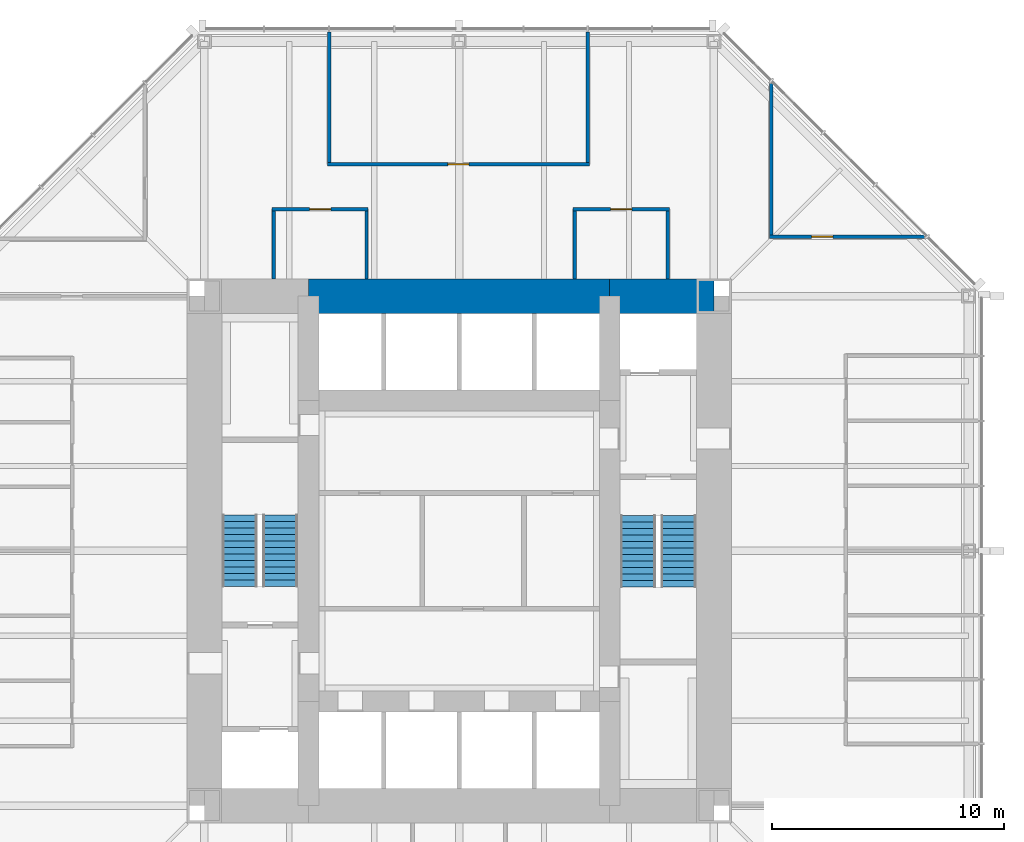
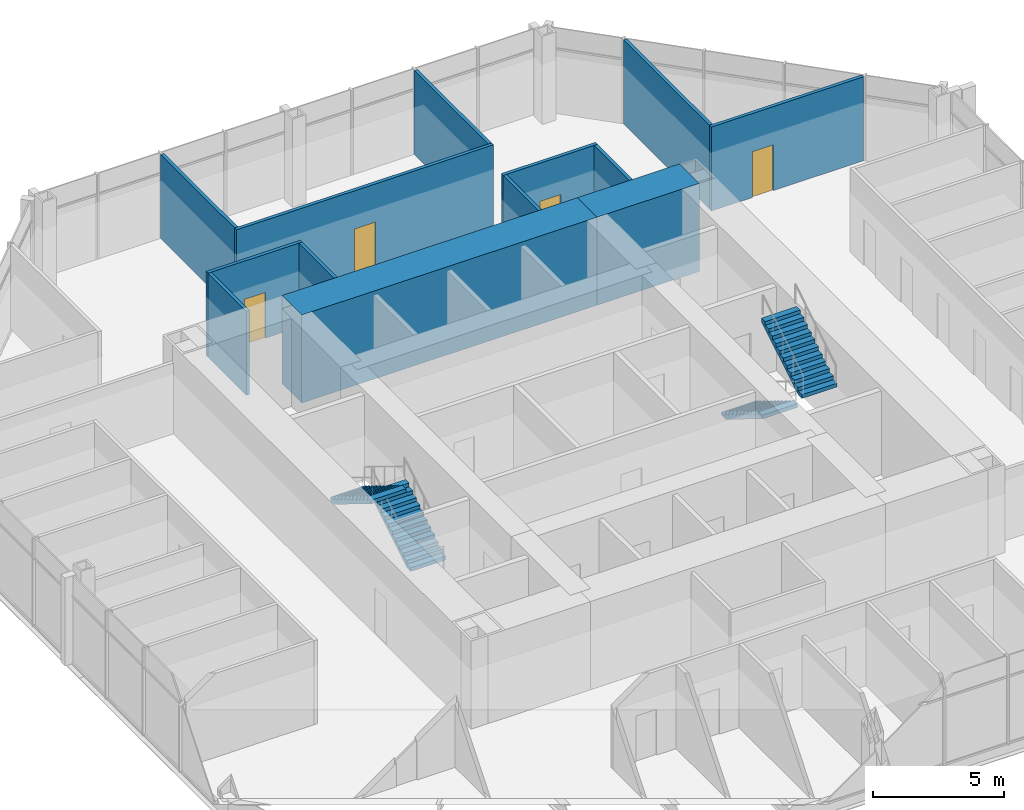
# One storey, part 11 of 12: 13 walls, 4 doors, 4 stair flights, 4 openings, 2 elements without a shape of their own.
"""IFC4 building model written with IfcOpenShell, lengths in metres."""

from ifc_helpers import new_model, si_unit, direction, frame, frame_2d, origin, place, context, subcontext, project, spatial, polyline, rectangle, outline, extrude, material, layer, layer_set, type_object, element, fill, aggregate, save


model = new_model("IFC4")

# Units and contexts
model_context = context("Model", 3, precision=1e-05, world=origin(), true_north=direction((0.0, 1.0)))
body_context = subcontext(model_context, "Body", "Model", "MODEL_VIEW")
ifc_project = project(units=[si_unit("LENGTHUNIT", "METRE"), si_unit("AREAUNIT", "SQUARE_METRE"), si_unit("VOLUMEUNIT", "CUBIC_METRE"), si_unit("PLANEANGLEUNIT", "RADIAN"), si_unit("MASSUNIT", "GRAM", prefix="KILO")], contexts=[model_context])

# Site, building, storey
site_placement = place(None, origin())
site = spatial("IfcSite", under=ifc_project, at=site_placement, CompositionType="ELEMENT")
building_placement = place(site_placement, origin())
building = spatial("IfcBuilding", under=site, at=building_placement, Name="Trevanion Tower", CompositionType="ELEMENT")
storey_placement = place(building_placement, frame((0.0, 0.0, 174.60009765625)))
storey = spatial("IfcBuildingStorey", under=building, at=storey_placement, Name="L41", CompositionType="ELEMENT", Elevation=174.60009765625)

# Walls
ifc_material_1 = material(Name="Concrete 10,000 psi", Category="concrete")
ifc_layer_1 = layer(ifc_material_1, 1.5)
ifc_layer_set_1 = layer_set([ifc_layer_1], Name="CW1 core wall 1500")
wall_type_1 = type_object("IfcWallType", Name="CW1 core wall 1500", PredefinedType="SHEAR", material=ifc_layer_set_1)
wall_1_placement = place(storey_placement, frame((11.0, 11.0, 0.0), z_axis=(0.0, 0.0, 1.0), x_axis=(-1.0, 0.0, 0.0)))
element("IfcWall", 1, at=wall_1_placement, inside=storey, type_object=wall_type_1, Name="CW1 CN1 L41", PredefinedType="SHEAR", context=body_context, shape_type="SweptSolid", body=[
    extrude(rectangle(XDim=4.5, YDim=1.5, at=frame_2d((2.25, 0.0))), origin(), (0.0, 0.0, 1.0), 4.099853515625),
])
wall_2_placement = place(storey_placement, frame((6.5, 11.0, 0.0), z_axis=(0.0, 0.0, 1.0), x_axis=(-1.0, 0.0, 0.0)))
element("IfcWall", 2, at=wall_2_placement, inside=storey, type_object=wall_type_1, Name="CW1 CN2 L41", PredefinedType="SHEAR", context=body_context, shape_type="SweptSolid", body=[
    extrude(rectangle(XDim=13.0, YDim=1.5, at=frame_2d((6.5, 0.0))), origin(), (0.0, 0.0, 1.0), 4.099853515625),
])

# Wall, opening, door
ifc_material_2 = material(Name="Gypsum board on steel studs", Category="steel")
ifc_layer_2 = layer(ifc_material_2, 0.14990234375)
ifc_layer_set_2 = layer_set([ifc_layer_2], Name="PT1 partition 150")
wall_type_2 = type_object("IfcWallType", Name="PT1 partition 150", PredefinedType="PARTITIONING", material=ifc_layer_set_2)
wall_3_placement = place(storey_placement, frame((13.39892578125, 13.56591796875, 0.0), z_axis=(0.0, 0.0, 1.0), x_axis=(1.0, 0.0, 0.0)))
wall_3 = element("IfcWall", 3, at=wall_3_placement, inside=storey, type_object=wall_type_2, Name="PT1 L41 KW0a", PredefinedType="PARTITIONING", context=body_context, shape_type="SweptSolid", body=[
    extrude(rectangle(XDim=6.697998046875, YDim=0.14990234375, at=frame_2d((3.34912109375, 0.0))), origin(), (0.0, 0.0, 1.0), 3.909912109375),
])
opening_1_placement = place(wall_3_placement, frame((1.8173828125, 0.0, 0.0)))
opening_1 = element("IfcOpeningElement", 4, at=opening_1_placement, cuts=wall_3, Name="Opening 41-020", PredefinedType="OPENING", context=body_context, shape_type="SweptSolid", body=[
    extrude(rectangle(XDim=0.9150390625, YDim=2.134033203125, at=frame_2d((0.45751953125, 1.06689453125))), frame((0.0, 0.0849609375, 0.0), z_axis=(0.0, -1.0, 0.0), x_axis=(1.0, 0.0, 0.0)), (0.0, 0.0, 1.0), 0.169921875),
])
ifc_material_3 = material(Name="Timber veneer, solid core", Category="wood")
door_type = type_object("IfcDoorType", Name="D1 office and meeting room door", OperationType="SINGLE_SWING_LEFT", PredefinedType="DOOR", material=ifc_material_3)
door_1_placement = place(opening_1_placement, origin())
door_1 = element("IfcDoor", 5, at=door_1_placement, inside=storey, type_object=door_type, Name="Door 41-020", OperationType="SINGLE_SWING_LEFT", OverallHeight=2.134033203125, OverallWidth=0.9150390625, PredefinedType="DOOR", context=body_context, shape_type="SweptSolid", body=[
    extrude(rectangle(XDim=0.9150390625, YDim=2.134033203125, at=frame_2d((0.45751953125, 1.06689453125))), frame((0.0, 0.02490234375, 0.0), z_axis=(0.0, -1.0, 0.0), x_axis=(1.0, 0.0, 0.0)), (0.0, 0.0, 1.0), 0.050048828125),
])
fill(opening_1, door_1)

# Wall
wall_4_placement = place(storey_placement, frame((13.47412109375, 13.64111328125, 0.0), z_axis=(0.0, 0.0, 1.0), x_axis=(0.0, 1.0, 0.0)))
element("IfcWall", 6, at=wall_4_placement, inside=storey, type_object=wall_type_2, Name="PT1 L41 KW0b", PredefinedType="PARTITIONING", context=body_context, shape_type="SweptSolid", body=[
    extrude(rectangle(XDim=6.5478515625, YDim=0.14990234375, at=frame_2d((3.27392578125, 0.0))), origin(), (0.0, 0.0, 1.0), 3.909912109375),
])

# Wall, opening, door
wall_5_placement = place(storey_placement, frame((5.6240234375, 16.699951171875, 0.0), z_axis=(0.0, 0.0, 1.0), x_axis=(-1.0, 0.0, 0.0)))
wall_5 = element("IfcWall", 7, at=wall_5_placement, inside=storey, type_object=wall_type_2, Name="PT1 L41 FC1F", PredefinedType="PARTITIONING", context=body_context, shape_type="SweptSolid", body=[
    extrude(rectangle(XDim=11.31298828125, YDim=0.14990234375, at=frame_2d((5.656494140625, 0.0))), origin(), (0.0, 0.0, 1.0), 3.909912109375),
])
opening_2_placement = place(wall_5_placement, frame((5.198974609375, 0.0, 0.0)))
opening_2 = element("IfcOpeningElement", 8, at=opening_2_placement, cuts=wall_5, Name="Opening 41-030", PredefinedType="OPENING", context=body_context, shape_type="SweptSolid", body=[
    extrude(rectangle(XDim=0.9150390625, YDim=2.134033203125, at=frame_2d((0.45751953125, 1.06689453125))), frame((0.0, 0.0849609375, 0.0), z_axis=(0.0, -1.0, 0.0), x_axis=(1.0, 0.0, 0.0)), (0.0, 0.0, 1.0), 0.169921875),
])
door_2_placement = place(opening_2_placement, origin())
door_2 = element("IfcDoor", 9, at=door_2_placement, inside=storey, type_object=door_type, Name="Door 41-030", OperationType="SINGLE_SWING_LEFT", OverallHeight=2.134033203125, OverallWidth=0.9150390625, PredefinedType="DOOR", context=body_context, shape_type="SweptSolid", body=[
    extrude(rectangle(XDim=0.9150390625, YDim=2.134033203125, at=frame_2d((0.45751953125, 1.06689453125))), frame((0.0, 0.02490234375, 0.0), z_axis=(0.0, -1.0, 0.0), x_axis=(1.0, 0.0, 0.0)), (0.0, 0.0, 1.0), 0.050048828125),
])
fill(opening_2, door_2)

# Walls
for number, where, z_axis, x_axis, name in (
    (10, (5.549072265625, 16.77490234375, 0.0), (0.0, 0.0, 1.0), (0.0, 1.0, 0.0), "PT1 L41 FC1S0"),
    (11, (-5.614013671875, 16.77490234375, 0.0), (0.0, 0.0, 1.0), (0.0, 1.0, 0.0), "PT1 L41 FC1S4"),
):
    element("IfcWall", number, at=place(storey_placement, frame(where, z_axis=z_axis, x_axis=x_axis)), inside=storey, type_object=wall_type_2, Name=name, PredefinedType="PARTITIONING", context=body_context, shape_type="SweptSolid", body=[
        extrude(rectangle(XDim=5.64013671875, YDim=0.14990234375, at=frame_2d((2.820068359375, 0.0))), origin(), (0.0, 0.0, 1.0), 3.909912109375),
    ])

# Wall, opening, door
wall_6_placement = place(storey_placement, frame((9.074951171875, 14.75, 0.0), z_axis=(0.0, 0.0, 1.0), x_axis=(-1.0, 0.0, 0.0)))
wall_6 = element("IfcWall", 12, at=wall_6_placement, inside=storey, type_object=wall_type_2, Name="PT1 L41 IN10F", PredefinedType="PARTITIONING", context=body_context, shape_type="SweptSolid", body=[
    extrude(rectangle(XDim=4.14990234375, YDim=0.14990234375, at=frame_2d((2.074951171875, 0.0))), origin(), (0.0, 0.0, 1.0), 3.909912109375),
])
opening_3_placement = place(wall_6_placement, frame((1.617431640625, 0.0, 0.0)))
opening_3 = element("IfcOpeningElement", 13, at=opening_3_placement, cuts=wall_6, Name="Opening 41-043", PredefinedType="OPENING", context=body_context, shape_type="SweptSolid", body=[
    extrude(rectangle(XDim=0.9150390625, YDim=2.134033203125, at=frame_2d((0.45751953125, 1.06689453125))), frame((0.0, 0.0849609375, 0.0), z_axis=(0.0, -1.0, 0.0), x_axis=(1.0, 0.0, 0.0)), (0.0, 0.0, 1.0), 0.169921875),
])
door_3_placement = place(opening_3_placement, origin())
door_3 = element("IfcDoor", 14, at=door_3_placement, inside=storey, type_object=door_type, Name="Door 41-043", OperationType="SINGLE_SWING_LEFT", OverallHeight=2.134033203125, OverallWidth=0.9150390625, PredefinedType="DOOR", context=body_context, shape_type="SweptSolid", body=[
    extrude(rectangle(XDim=0.9150390625, YDim=2.134033203125, at=frame_2d((0.45751953125, 1.06689453125))), frame((0.0, 0.02490234375, 0.0), z_axis=(0.0, -1.0, 0.0), x_axis=(1.0, 0.0, 0.0)), (0.0, 0.0, 1.0), 0.050048828125),
])
fill(opening_3, door_3)

# Walls
for number, where, z_axis, x_axis, name in (
    (15, (9.0, 14.675048828125, 0.0), (0.0, 0.0, 1.0), (0.0, -1.0, 0.0), "PT1 L41 IN10S0"),
    (16, (5.0, 14.675048828125, 0.0), (0.0, 0.0, 1.0), (0.0, -1.0, 0.0), "PT1 L41 IN10S1"),
):
    element("IfcWall", number, at=place(storey_placement, frame(where, z_axis=z_axis, x_axis=x_axis)), inside=storey, type_object=wall_type_2, Name=name, PredefinedType="PARTITIONING", context=body_context, shape_type="SweptSolid", body=[
        extrude(rectangle(XDim=2.925048828125, YDim=0.14990234375, at=frame_2d((1.46240234375, 0.0))), origin(), (0.0, 0.0, 1.0), 3.909912109375),
    ])

# Wall, opening, door
wall_7_placement = place(storey_placement, frame((-3.925048828125, 14.75, 0.0), z_axis=(0.0, 0.0, 1.0), x_axis=(-1.0, 0.0, 0.0)))
wall_7 = element("IfcWall", 17, at=wall_7_placement, inside=storey, type_object=wall_type_2, Name="PT1 L41 IN11F", PredefinedType="PARTITIONING", context=body_context, shape_type="SweptSolid", body=[
    extrude(rectangle(XDim=4.14990234375, YDim=0.14990234375, at=frame_2d((2.074951171875, 0.0))), origin(), (0.0, 0.0, 1.0), 3.909912109375),
])
opening_4_placement = place(wall_7_placement, frame((1.617431640625, 0.0, 0.0)))
opening_4 = element("IfcOpeningElement", 18, at=opening_4_placement, cuts=wall_7, Name="Opening 41-044", PredefinedType="OPENING", context=body_context, shape_type="SweptSolid", body=[
    extrude(rectangle(XDim=0.9150390625, YDim=2.134033203125, at=frame_2d((0.45751953125, 1.06689453125))), frame((0.0, 0.0849609375, 0.0), z_axis=(0.0, -1.0, 0.0), x_axis=(1.0, 0.0, 0.0)), (0.0, 0.0, 1.0), 0.169921875),
])
door_4_placement = place(opening_4_placement, origin())
door_4 = element("IfcDoor", 19, at=door_4_placement, inside=storey, type_object=door_type, Name="Door 41-044", OperationType="SINGLE_SWING_LEFT", OverallHeight=2.134033203125, OverallWidth=0.9150390625, PredefinedType="DOOR", context=body_context, shape_type="SweptSolid", body=[
    extrude(rectangle(XDim=0.9150390625, YDim=2.134033203125, at=frame_2d((0.45751953125, 1.06689453125))), frame((0.0, 0.02490234375, 0.0), z_axis=(0.0, -1.0, 0.0), x_axis=(1.0, 0.0, 0.0)), (0.0, 0.0, 1.0), 0.050048828125),
])
fill(opening_4, door_4)

# Walls
for number, where, z_axis, x_axis, name in (
    (20, (-4.0, 14.675048828125, 0.0), (0.0, 0.0, 1.0), (0.0, -1.0, 0.0), "PT1 L41 IN11S0"),
    (21, (-8.0, 14.675048828125, 0.0), (0.0, 0.0, 1.0), (0.0, -1.0, 0.0), "PT1 L41 IN11S1"),
):
    element("IfcWall", number, at=place(storey_placement, frame(where, z_axis=z_axis, x_axis=x_axis)), inside=storey, type_object=wall_type_2, Name=name, PredefinedType="PARTITIONING", context=body_context, shape_type="SweptSolid", body=[
        extrude(rectangle(XDim=2.925048828125, YDim=0.14990234375, at=frame_2d((1.46240234375, 0.0))), origin(), (0.0, 0.0, 1.0), 3.909912109375),
    ])

# Stair, stair flights
ifc_material_4 = material(Name="Concrete 5,000 psi on steel stringers", Category="concrete")
stair_type = type_object("IfcStairType", Name="ST stair", PredefinedType="HALF_TURN_STAIR", material=ifc_material_4)
stair_1_placement = place(storey_placement, origin())
stair_1 = element("IfcStair", 22, at=stair_1_placement, inside=storey, type_object=stair_type, Name="ST1 L41", PredefinedType="HALF_TURN_STAIR")
ifc_material_5 = material(Name="Concrete 5,000 psi in steel pan", Category="concrete")
stair_flight_type = type_object("IfcStairFlightType", Name="STF stair flight", PredefinedType="STRAIGHT", material=ifc_material_5)
stair_flight_1_placement = place(storey_placement, frame((7.72509765625, 1.52490234375, 0.0), z_axis=(0.0, 0.0, 1.0), x_axis=(0.0, -1.0, 0.0)))
stair_flight_1 = element("IfcStairFlight", 23, at=stair_flight_1_placement, type_object=stair_flight_type, Name="ST1 flight 1", NumberOfRisers=12, NumberOfTreads=11, PredefinedType="STRAIGHT", RiserHeight=0.170833333, TreadLength=0.28, context=body_context, shape_type="SweptSolid", body=[
    extrude(outline(polyline([(0.0, 0.0), (0.0, 0.1708984375), (0.280029296875, 0.1708984375), (0.280029296875, 0.341552734375), (0.56005859375, 0.341552734375), (0.56005859375, 0.512451171875), (0.840087890625, 0.512451171875), (0.840087890625, 0.683349609375), (1.1201171875, 0.683349609375), (1.1201171875, 0.854248046875), (1.39990234375, 0.854248046875), (1.39990234375, 1.02490234375), (1.679931640625, 1.02490234375), (1.679931640625, 1.19580078125), (1.9599609375, 1.19580078125), (1.9599609375, 1.36669921875), (2.239990234375, 1.36669921875), (2.239990234375, 1.53759765625), (2.52001953125, 1.53759765625), (2.52001953125, 1.708251953125), (2.800048828125, 1.708251953125), (2.800048828125, 1.879150390625), (3.080078125, 1.879150390625), (3.080078125, 2.050048828125), (3.080078125, 1.70361328125), (0.287841796875, 0.0), (0.0, 0.0)])), frame((0.0, 0.77490234375, 0.0), z_axis=(0.0, -1.0, 0.0), x_axis=(1.0, 0.0, 0.0)), (0.0, 0.0, 1.0), 1.550048828125),
])
stair_flight_2_placement = place(storey_placement, frame((9.47509765625, -1.554931640625, 2.0498046875), z_axis=(0.0, 0.0, 1.0), x_axis=(0.0, 1.0, 0.0)))
stair_flight_2 = element("IfcStairFlight", 24, at=stair_flight_2_placement, type_object=stair_flight_type, Name="ST1 flight 2", NumberOfRisers=12, NumberOfTreads=11, PredefinedType="STRAIGHT", RiserHeight=0.170833333, TreadLength=0.28, context=body_context, shape_type="SweptSolid", body=[
    extrude(outline(polyline([(0.0, 0.0), (0.0, 0.1708984375), (0.280029296875, 0.1708984375), (0.280029296875, 0.341552734375), (0.56005859375, 0.341552734375), (0.56005859375, 0.512451171875), (0.840087890625, 0.512451171875), (0.840087890625, 0.683349609375), (1.1201171875, 0.683349609375), (1.1201171875, 0.854248046875), (1.39990234375, 0.854248046875), (1.39990234375, 1.02490234375), (1.679931640625, 1.02490234375), (1.679931640625, 1.19580078125), (1.9599609375, 1.19580078125), (1.9599609375, 1.36669921875), (2.239990234375, 1.36669921875), (2.239990234375, 1.53759765625), (2.52001953125, 1.53759765625), (2.52001953125, 1.708251953125), (2.800048828125, 1.708251953125), (2.800048828125, 1.879150390625), (3.080078125, 1.879150390625), (3.080078125, 2.050048828125), (3.080078125, 1.70361328125), (0.287841796875, 0.0), (0.0, 0.0)])), frame((0.0, 0.77490234375, 0.0), z_axis=(0.0, -1.0, 0.0), x_axis=(1.0, 0.0, 0.0)), (0.0, 0.0, 1.0), 1.550048828125),
])
aggregate(stair_1, [stair_flight_1, stair_flight_2])

stair_2_placement = place(storey_placement, origin())
stair_2 = element("IfcStair", 25, at=stair_2_placement, inside=storey, type_object=stair_type, Name="ST2 L41", PredefinedType="HALF_TURN_STAIR")
stair_flight_3_placement = place(storey_placement, frame((-7.72509765625, -1.52490234375, 0.0), z_axis=(0.0, 0.0, 1.0), x_axis=(0.0, 1.0, 0.0)))
stair_flight_3 = element("IfcStairFlight", 26, at=stair_flight_3_placement, type_object=stair_flight_type, Name="ST2 flight 1", NumberOfRisers=12, NumberOfTreads=11, PredefinedType="STRAIGHT", RiserHeight=0.170833333, TreadLength=0.28, context=body_context, shape_type="SweptSolid", body=[
    extrude(outline(polyline([(0.0, 0.0), (0.0, 0.1708984375), (0.280029296875, 0.1708984375), (0.280029296875, 0.341552734375), (0.56005859375, 0.341552734375), (0.56005859375, 0.512451171875), (0.840087890625, 0.512451171875), (0.840087890625, 0.683349609375), (1.1201171875, 0.683349609375), (1.1201171875, 0.854248046875), (1.39990234375, 0.854248046875), (1.39990234375, 1.02490234375), (1.679931640625, 1.02490234375), (1.679931640625, 1.19580078125), (1.9599609375, 1.19580078125), (1.9599609375, 1.36669921875), (2.239990234375, 1.36669921875), (2.239990234375, 1.53759765625), (2.52001953125, 1.53759765625), (2.52001953125, 1.708251953125), (2.800048828125, 1.708251953125), (2.800048828125, 1.879150390625), (3.080078125, 1.879150390625), (3.080078125, 2.050048828125), (3.080078125, 1.70361328125), (0.287841796875, 0.0), (0.0, 0.0)])), frame((0.0, 0.77490234375, 0.0), z_axis=(0.0, -1.0, 0.0), x_axis=(1.0, 0.0, 0.0)), (0.0, 0.0, 1.0), 1.550048828125),
])
stair_flight_4_placement = place(storey_placement, frame((-9.47509765625, 1.554931640625, 2.0498046875), z_axis=(0.0, 0.0, 1.0), x_axis=(0.0, -1.0, 0.0)))
stair_flight_4 = element("IfcStairFlight", 27, at=stair_flight_4_placement, type_object=stair_flight_type, Name="ST2 flight 2", NumberOfRisers=12, NumberOfTreads=11, PredefinedType="STRAIGHT", RiserHeight=0.170833333, TreadLength=0.28, context=body_context, shape_type="SweptSolid", body=[
    extrude(outline(polyline([(0.0, 0.0), (0.0, 0.1708984375), (0.280029296875, 0.1708984375), (0.280029296875, 0.341552734375), (0.56005859375, 0.341552734375), (0.56005859375, 0.512451171875), (0.840087890625, 0.512451171875), (0.840087890625, 0.683349609375), (1.1201171875, 0.683349609375), (1.1201171875, 0.854248046875), (1.39990234375, 0.854248046875), (1.39990234375, 1.02490234375), (1.679931640625, 1.02490234375), (1.679931640625, 1.19580078125), (1.9599609375, 1.19580078125), (1.9599609375, 1.36669921875), (2.239990234375, 1.36669921875), (2.239990234375, 1.53759765625), (2.52001953125, 1.53759765625), (2.52001953125, 1.708251953125), (2.800048828125, 1.708251953125), (2.800048828125, 1.879150390625), (3.080078125, 1.879150390625), (3.080078125, 2.050048828125), (3.080078125, 1.70361328125), (0.287841796875, 0.0), (0.0, 0.0)])), frame((0.0, 0.77490234375, 0.0), z_axis=(0.0, -1.0, 0.0), x_axis=(1.0, 0.0, 0.0)), (0.0, 0.0, 1.0), 1.550048828125),
])
aggregate(stair_2, [stair_flight_3, stair_flight_4])

save(model, "model.ifc")
